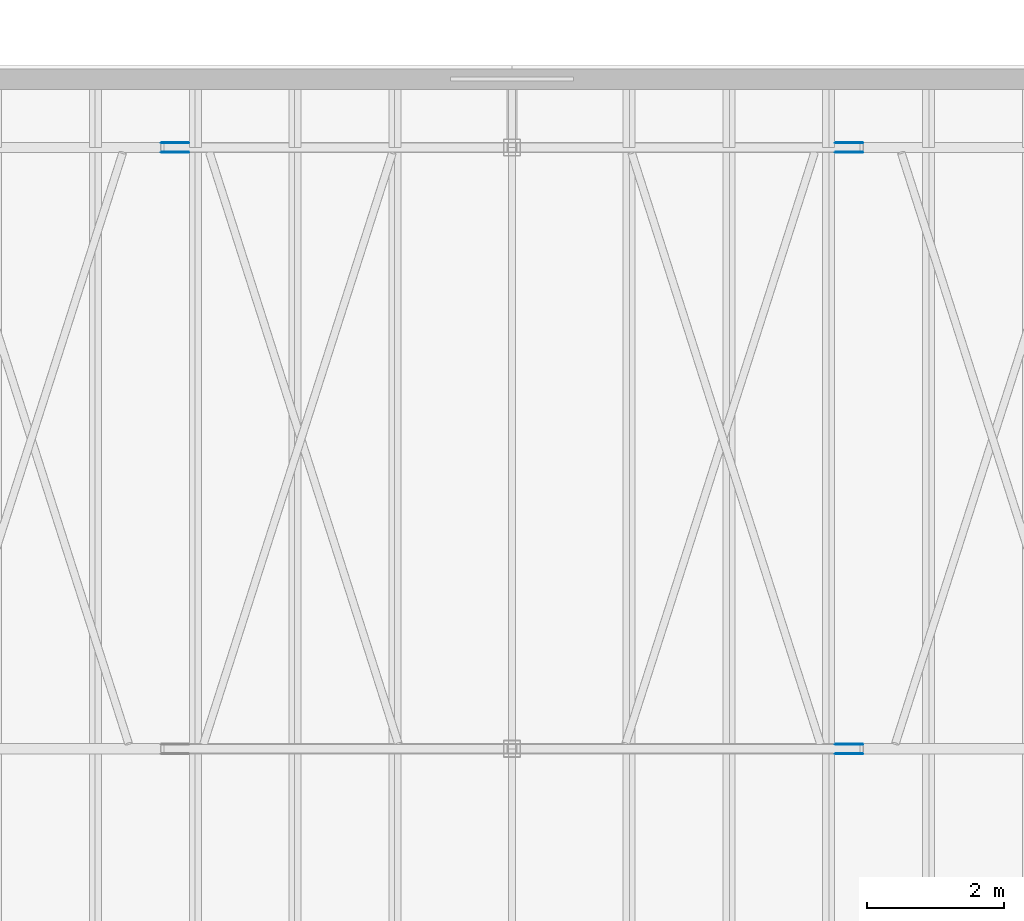
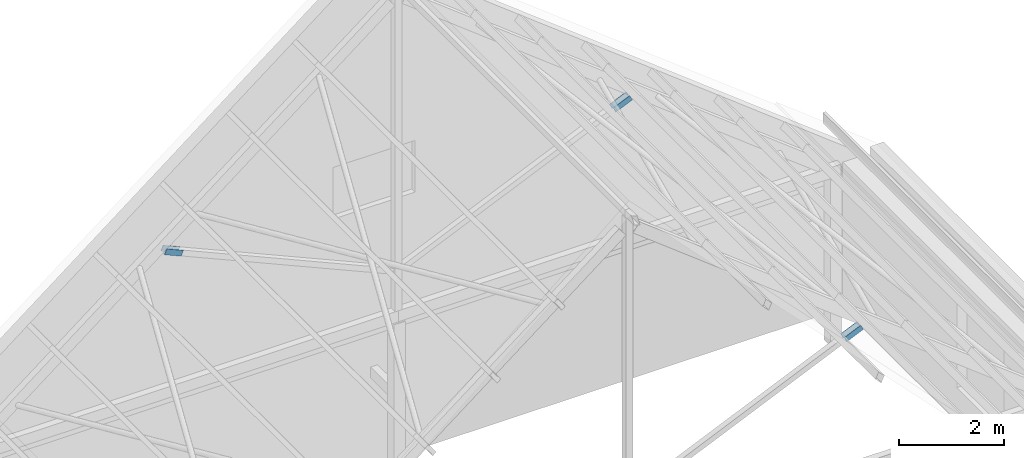
# One storey, part 100 of 127: 6 discrete accessories.
"""IFC4 building model written with IfcOpenShell, lengths in metres."""

from ifc_helpers import new_model, si_unit, direction, frame, origin, origin_2d, place, context, subcontext, project, spatial, rectangle, extrude, material, material_profile, profile_set, type_object, element, save


model = new_model("IFC4")

# Units and contexts
model_context = context("Model", 3, precision=1e-05, world=origin(), true_north=direction((0.0, 1.0)))
body_context = subcontext(model_context, "Body", "Model", "MODEL_VIEW")
ifc_project = project(units=[si_unit("LENGTHUNIT", "METRE"), si_unit("AREAUNIT", "SQUARE_METRE"), si_unit("VOLUMEUNIT", "CUBIC_METRE"), si_unit("PLANEANGLEUNIT", "RADIAN"), si_unit("MASSUNIT", "GRAM", prefix="KILO")], contexts=[model_context])

# Site, building, storey
site_placement = place(None, origin())
site = spatial("IfcSite", under=ifc_project, at=site_placement, CompositionType="ELEMENT")
building_placement = place(site_placement, origin())
building = spatial("IfcBuilding", under=site, at=building_placement, Name="Verrick Yard Athletic Hall", CompositionType="ELEMENT")
storey_placement = place(building_placement, frame((0.0, 0.0, 14.0)))
storey = spatial("IfcBuildingStorey", under=building, at=storey_placement, Name="L03", CompositionType="ELEMENT", Elevation=14.0)

# Discrete accessories
ifc_material = material(Name="Structural steel 350W (CSA G40.21)", Category="steel")
ifc_material_profile = material_profile(ifc_material, rectangle(XDim=0.39990234375, YDim=0.126953125, at=origin_2d()), Name="Brace end cheek plate")
ifc_profile_set = profile_set([ifc_material_profile], Name="Structural steel 350W (CSA G40.21)")
discrete_accessory_type = type_object("IfcDiscreteAccessoryType", Name="Brace end cheek plate 400x127x12", PredefinedType="BRACKET", material=ifc_profile_set)
for number, where, z_axis, x_axis, name in (
    (1, (103.73388671875, 90.736572265625, 7.1962890625), (0.0, -1.0, 0.0), (-0.914688093773, 0.0, -0.404160476928), "Roof strut end plate 3E 1"),
    (2, (103.73388671875, 90.863525390625, 7.1962890625), (0.0, 1.0, 0.0), (-0.914688093773, 0.0, -0.404160476928), "Roof strut end plate 3E 2"),
    (3, (93.8662109375, 99.66357421875, 7.1962890625), (0.0, 1.0, 0.0), (0.914688093773, 0.0, -0.404160476928), "Roof strut end plate 4W 1"),
):
    element("IfcDiscreteAccessory", number, at=place(storey_placement, frame(where, z_axis=z_axis, x_axis=x_axis)), inside=storey, type_object=discrete_accessory_type, Name=name, PredefinedType="BRACKET", context=body_context, shape_type="SweptSolid", body=[
        extrude(rectangle(XDim=0.39990234375, YDim=0.126953125, at=origin_2d()), origin(), (0.0, 0.0, 1.0), 0.011962890625),
    ])
for number, where, z_axis, x_axis, name in (
    (4, (93.8662109375, 99.53662109375, 7.1962890625), (0.0, -1.0, 0.0), (0.914688093773, 0.0, -0.404160476928), "Roof strut end plate 4W 2"),
    (5, (103.73388671875, 99.53662109375, 7.1962890625), (0.0, -1.0, 0.0), (-0.914688093773, 0.0, -0.404160476928), "Roof strut end plate 4E 1"),
):
    element("IfcDiscreteAccessory", number, at=place(storey_placement, frame(where, z_axis=z_axis, x_axis=x_axis)), inside=storey, type_object=discrete_accessory_type, Name=name, PredefinedType="BRACKET", context=body_context, shape_type="SweptSolid", body=[
        extrude(rectangle(XDim=0.39990234375, YDim=0.126953125, at=origin_2d()), origin(), (0.0, 0.0, 1.0), 0.01220703125),
    ])
discrete_accessory_placement = place(storey_placement, frame((103.73388671875, 99.66357421875, 7.1962890625), z_axis=(0.0, 1.0, 0.0), x_axis=(-0.914688093773, 0.0, -0.404160476928)))
element("IfcDiscreteAccessory", 6, at=discrete_accessory_placement, inside=storey, type_object=discrete_accessory_type, Name="Roof strut end plate 4E 2", PredefinedType="BRACKET", context=body_context, shape_type="SweptSolid", body=[
    extrude(rectangle(XDim=0.39990234375, YDim=0.126953125, at=origin_2d()), origin(), (0.0, 0.0, 1.0), 0.011962890625),
])

save(model, "model.ifc")
